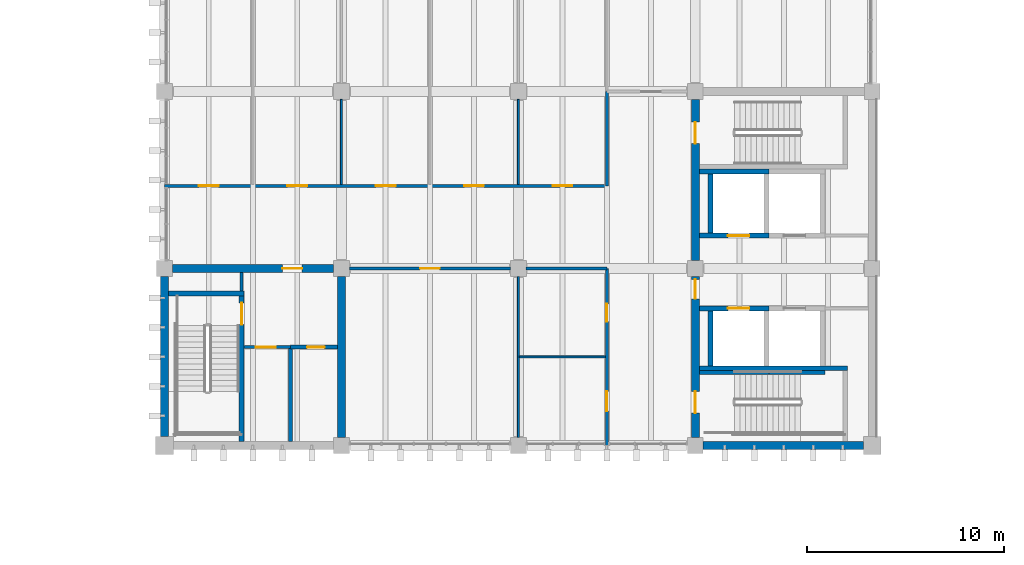
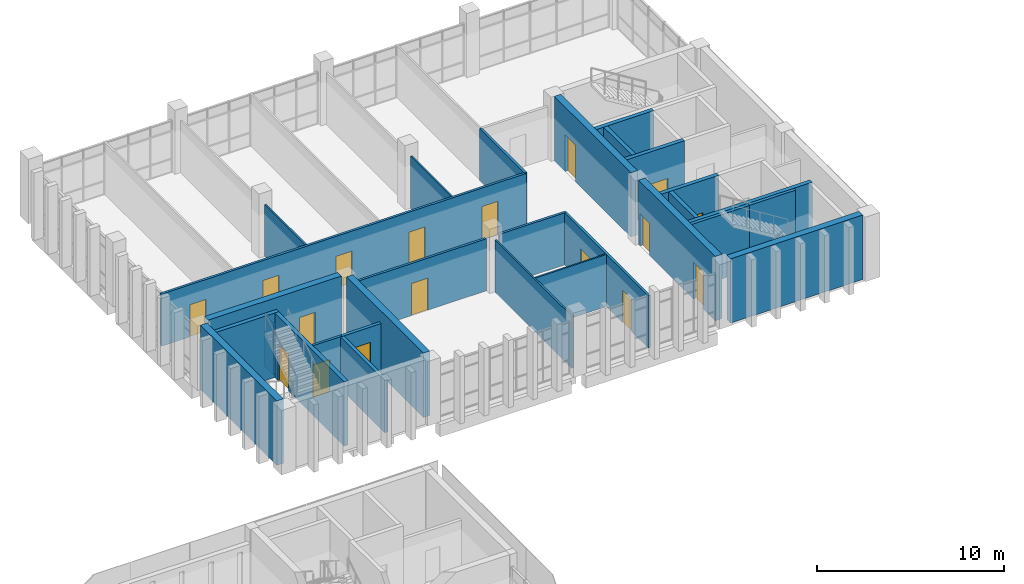
# One storey, part 34 of 50: 29 walls, 17 doors, 17 openings.
"""IFC4 building model written with IfcOpenShell, lengths in metres."""

from ifc_helpers import new_model, si_unit, direction, frame, frame_2d, origin, place, context, subcontext, project, spatial, rectangle, extrude, material, layer, layer_set, type_object, element, fill, save


model = new_model("IFC4")

# Units and contexts
model_context = context("Model", 3, precision=1e-05, world=origin(), true_north=direction((0.0, 1.0)))
body_context = subcontext(model_context, "Body", "Model", "MODEL_VIEW")
ifc_project = project(units=[si_unit("LENGTHUNIT", "METRE"), si_unit("AREAUNIT", "SQUARE_METRE"), si_unit("VOLUMEUNIT", "CUBIC_METRE"), si_unit("PLANEANGLEUNIT", "RADIAN"), si_unit("MASSUNIT", "GRAM", prefix="KILO")], contexts=[model_context])

# Site, building, storey
site_placement = place(None, origin())
site = spatial("IfcSite", under=ifc_project, at=site_placement, CompositionType="ELEMENT")
building_placement = place(site_placement, origin())
building = spatial("IfcBuilding", under=site, at=building_placement, Name="Merrow Basin Faculty of Sciences", CompositionType="ELEMENT")
storey_placement = place(building_placement, frame((0.0, 0.0, 18.0)))
storey = spatial("IfcBuildingStorey", under=building, at=storey_placement, Name="L04", CompositionType="ELEMENT", Elevation=18.0)

# Wall
ifc_material_1 = material(Name="Fire-rated gypsum board")
ifc_layer_1 = layer(ifc_material_1, 0.14990234375)
ifc_layer_set_1 = layer_set([ifc_layer_1], Name="Corridor partition 150 fire-rated board on steel studs")
wall_type_1 = type_object("IfcWallType", Name="Corridor partition 150 fire-rated board on steel studs", PredefinedType="PARTITIONING", material=ifc_layer_set_1)
wall_1_placement = place(storey_placement, frame((21.925048828125, 149.85009765625, 0.0), z_axis=(0.0, 0.0, 1.0), x_axis=(0.0, 1.0, 0.0)))
element("IfcWall", 1, at=wall_1_placement, inside=storey, type_object=wall_type_1, Name="IW151 L04 003", PredefinedType="PARTITIONING", context=body_context, shape_type="SweptSolid", body=[
    extrude(rectangle(XDim=0.949951171875, YDim=0.14990234375, at=frame_2d((0.47509765625, 0.0))), origin(), (0.0, 0.0, 1.0), 3.39990234375),
])

# Wall, openings, doors
wall_2_placement = place(storey_placement, frame((40.5, 142.0, 0.0), z_axis=(0.0, 0.0, 1.0), x_axis=(0.0, 1.0, 0.0)))
wall_2 = element("IfcWall", 2, at=wall_2_placement, inside=storey, type_object=wall_type_1, Name="IW151 L04 004", PredefinedType="PARTITIONING", context=body_context, shape_type="SweptSolid", body=[
    extrude(rectangle(XDim=9.0, YDim=0.14990234375, at=frame_2d((4.5, 0.0))), origin(), (0.0, 0.0, 1.0), 3.39990234375),
])
opening_1_placement = place(wall_2_placement, frame((1.75, 0.0, 0.0)))
opening_1 = element("IfcOpeningElement", 3, at=opening_1_placement, cuts=wall_2, Name="Opening D04T008", PredefinedType="OPENING", context=body_context, shape_type="SweptSolid", body=[
    extrude(rectangle(XDim=1.0, YDim=2.10009765625, at=frame_2d((0.5, 1.050048828125))), frame((0.0, 0.0849609375, 0.0), z_axis=(0.0, -1.0, 0.0), x_axis=(1.0, 0.0, 0.0)), (0.0, 0.0, 1.0), 0.169921875),
])
opening_2_placement = place(wall_2_placement, frame((6.300048828125, 0.0, 0.0)))
opening_2 = element("IfcOpeningElement", 4, at=opening_2_placement, cuts=wall_2, Name="Opening D04T009", PredefinedType="OPENING", context=body_context, shape_type="SweptSolid", body=[
    extrude(rectangle(XDim=0.89990234375, YDim=2.10009765625, at=frame_2d((0.449951171875, 1.050048828125))), frame((0.0, 0.0849609375, 0.0), z_axis=(0.0, -1.0, 0.0), x_axis=(1.0, 0.0, 0.0)), (0.0, 0.0, 1.0), 0.169921875),
])
ifc_material_2 = material(Name="Timber door leaf", Category="wood")
door_type_1 = type_object("IfcDoorType", Name="Accessible door 1000 x 2100", OperationType="NOTDEFINED", PredefinedType="DOOR", material=ifc_material_2)
door_1_placement = place(opening_1_placement, origin())
door_1 = element("IfcDoor", 5, at=door_1_placement, inside=storey, type_object=door_type_1, Name="Door D04T008", OperationType="SINGLE_SWING_LEFT", OverallHeight=2.10009765625, OverallWidth=1.0, PredefinedType="DOOR", context=body_context, shape_type="SweptSolid", body=[
    extrude(rectangle(XDim=1.0, YDim=2.10009765625, at=frame_2d((0.5, 1.050048828125))), frame((0.0, 0.02490234375, 0.0), z_axis=(0.0, -1.0, 0.0), x_axis=(1.0, 0.0, 0.0)), (0.0, 0.0, 1.0), 0.050048828125),
])
fill(opening_1, door_1)
ifc_material_3 = material(Name="Timber door leaf", Category="wood")
door_type_2 = type_object("IfcDoorType", Name="Single swing door 900 x 2100", OperationType="NOTDEFINED", PredefinedType="DOOR", material=ifc_material_3)
door_2_placement = place(opening_2_placement, origin())
door_2 = element("IfcDoor", 6, at=door_2_placement, inside=storey, type_object=door_type_2, Name="Door D04T009", OperationType="SINGLE_SWING_LEFT", OverallHeight=2.10009765625, OverallWidth=0.89990234375, PredefinedType="DOOR", context=body_context, shape_type="SweptSolid", body=[
    extrude(rectangle(XDim=0.89990234375, YDim=2.10009765625, at=frame_2d((0.449951171875, 1.050048828125))), frame((0.0, 0.02490234375, 0.0), z_axis=(0.0, -1.0, 0.0), x_axis=(1.0, 0.0, 0.0)), (0.0, 0.0, 1.0), 0.050048828125),
])
fill(opening_2, door_2)

# Wall
wall_3_placement = place(storey_placement, frame((40.5, 155.199951171875, 0.0), z_axis=(0.0, 0.0, 1.0), x_axis=(0.0, 1.0, 0.0)))
element("IfcWall", 7, at=wall_3_placement, inside=storey, type_object=wall_type_1, Name="IW151 L04 005", PredefinedType="PARTITIONING", context=body_context, shape_type="SweptSolid", body=[
    extrude(rectangle(XDim=4.800048828125, YDim=0.14990234375, at=frame_2d((2.39990234375, 0.0))), origin(), (0.0, 0.0, 1.0), 3.39990234375),
])

# Wall, opening, door
wall_4_placement = place(storey_placement, frame((22.050048828125, 147.0, 0.0), z_axis=(0.0, 0.0, 1.0), x_axis=(1.0, 0.0, 0.0)))
wall_4 = element("IfcWall", 8, at=wall_4_placement, inside=storey, type_object=wall_type_1, Name="IW151 L04 006", PredefinedType="PARTITIONING", context=body_context, shape_type="SweptSolid", body=[
    extrude(rectangle(XDim=2.349853515625, YDim=0.14990234375, at=frame_2d((1.1748046875, 0.0))), origin(), (0.0, 0.0, 1.0), 3.39990234375),
])
opening_3_placement = place(wall_4_placement, frame((0.60009765625, 0.0, 0.0)))
opening_3 = element("IfcOpeningElement", 9, at=opening_3_placement, cuts=wall_4, Name="Opening D04T006", PredefinedType="OPENING", context=body_context, shape_type="SweptSolid", body=[
    extrude(rectangle(XDim=1.0, YDim=2.10009765625, at=frame_2d((0.5, 1.050048828125))), frame((0.0, 0.0849609375, 0.0), z_axis=(0.0, -1.0, 0.0), x_axis=(1.0, 0.0, 0.0)), (0.0, 0.0, 1.0), 0.169921875),
])
door_3_placement = place(opening_3_placement, origin())
door_3 = element("IfcDoor", 10, at=door_3_placement, inside=storey, type_object=door_type_1, Name="Door D04T006", OperationType="SINGLE_SWING_LEFT", OverallHeight=2.10009765625, OverallWidth=1.0, PredefinedType="DOOR", context=body_context, shape_type="SweptSolid", body=[
    extrude(rectangle(XDim=1.0, YDim=2.10009765625, at=frame_2d((0.5, 1.050048828125))), frame((0.0, 0.02490234375, 0.0), z_axis=(0.0, -1.0, 0.0), x_axis=(1.0, 0.0, 0.0)), (0.0, 0.0, 1.0), 0.050048828125),
])
fill(opening_3, door_3)

wall_5_placement = place(storey_placement, frame((27.39990234375, 151.0, 0.0), z_axis=(0.0, 0.0, 1.0), x_axis=(1.0, 0.0, 0.0)))
wall_5 = element("IfcWall", 11, at=wall_5_placement, inside=storey, type_object=wall_type_1, Name="IW151 L04 008", PredefinedType="PARTITIONING", context=body_context, shape_type="SweptSolid", body=[
    extrude(rectangle(XDim=8.2001953125, YDim=0.14990234375, at=frame_2d((4.10009765625, 0.0))), origin(), (0.0, 0.0, 1.0), 3.39990234375),
])
opening_4_placement = place(wall_5_placement, frame((3.60009765625, 0.0, 0.0)))
opening_4 = element("IfcOpeningElement", 12, at=opening_4_placement, cuts=wall_5, Name="Opening D04T015", PredefinedType="OPENING", context=body_context, shape_type="SweptSolid", body=[
    extrude(rectangle(XDim=1.0, YDim=2.10009765625, at=frame_2d((0.5, 1.050048828125))), frame((0.0, 0.0849609375, 0.0), z_axis=(0.0, -1.0, 0.0), x_axis=(1.0, 0.0, 0.0)), (0.0, 0.0, 1.0), 0.169921875),
])
ifc_material_4 = material(Name="Timber door leaf", Category="wood")
door_type_3 = type_object("IfcDoorType", Name="Single swing door 1000 x 2100", OperationType="NOTDEFINED", PredefinedType="DOOR", material=ifc_material_4)
door_4_placement = place(opening_4_placement, origin())
door_4 = element("IfcDoor", 13, at=door_4_placement, inside=storey, type_object=door_type_3, Name="Door D04T015", OperationType="SINGLE_SWING_LEFT", OverallHeight=2.10009765625, OverallWidth=1.0, PredefinedType="DOOR", context=body_context, shape_type="SweptSolid", body=[
    extrude(rectangle(XDim=1.0, YDim=2.10009765625, at=frame_2d((0.5, 1.050048828125))), frame((0.0, 0.02490234375, 0.0), z_axis=(0.0, -1.0, 0.0), x_axis=(1.0, 0.0, 0.0)), (0.0, 0.0, 1.0), 0.050048828125),
])
fill(opening_4, door_4)

# Wall
wall_6_placement = place(storey_placement, frame((36.39990234375, 151.0, 0.0), z_axis=(0.0, 0.0, 1.0), x_axis=(1.0, 0.0, 0.0)))
element("IfcWall", 14, at=wall_6_placement, inside=storey, type_object=wall_type_1, Name="IW151 L04 009", PredefinedType="PARTITIONING", context=body_context, shape_type="SweptSolid", body=[
    extrude(rectangle(XDim=4.10009765625, YDim=0.14990234375, at=frame_2d((2.050048828125, 0.0))), origin(), (0.0, 0.0, 1.0), 3.39990234375),
])

# Wall, openings, doors
wall_7_placement = place(storey_placement, frame((18.0, 155.199951171875, 0.0), z_axis=(0.0, 0.0, 1.0), x_axis=(1.0, 0.0, 0.0)))
wall_7 = element("IfcWall", 15, at=wall_7_placement, inside=storey, type_object=wall_type_1, Name="IW151 L04 011", PredefinedType="PARTITIONING", context=body_context, shape_type="SweptSolid", body=[
    extrude(rectangle(XDim=22.5, YDim=0.14990234375, at=frame_2d((11.25, 0.0))), origin(), (0.0, 0.0, 1.0), 3.39990234375),
])
opening_5_placement = place(wall_7_placement, frame((1.75, 0.0, 0.0)))
opening_5 = element("IfcOpeningElement", 16, at=opening_5_placement, cuts=wall_7, Name="Opening D04T010", PredefinedType="OPENING", context=body_context, shape_type="SweptSolid", body=[
    extrude(rectangle(XDim=1.0, YDim=2.10009765625, at=frame_2d((0.5, 1.050048828125))), frame((0.0, 0.0849609375, 0.0), z_axis=(0.0, -1.0, 0.0), x_axis=(1.0, 0.0, 0.0)), (0.0, 0.0, 1.0), 0.169921875),
])
opening_6_placement = place(wall_7_placement, frame((6.25, 0.0, 0.0)))
opening_6 = element("IfcOpeningElement", 17, at=opening_6_placement, cuts=wall_7, Name="Opening D04T011", PredefinedType="OPENING", context=body_context, shape_type="SweptSolid", body=[
    extrude(rectangle(XDim=1.0, YDim=2.10009765625, at=frame_2d((0.5, 1.050048828125))), frame((0.0, 0.0849609375, 0.0), z_axis=(0.0, -1.0, 0.0), x_axis=(1.0, 0.0, 0.0)), (0.0, 0.0, 1.0), 0.169921875),
])
opening_7_placement = place(wall_7_placement, frame((10.75, 0.0, 0.0)))
opening_7 = element("IfcOpeningElement", 18, at=opening_7_placement, cuts=wall_7, Name="Opening D04T012", PredefinedType="OPENING", context=body_context, shape_type="SweptSolid", body=[
    extrude(rectangle(XDim=1.0, YDim=2.10009765625, at=frame_2d((0.5, 1.050048828125))), frame((0.0, 0.0849609375, 0.0), z_axis=(0.0, -1.0, 0.0), x_axis=(1.0, 0.0, 0.0)), (0.0, 0.0, 1.0), 0.169921875),
])
opening_8_placement = place(wall_7_placement, frame((15.25, 0.0, 0.0)))
opening_8 = element("IfcOpeningElement", 19, at=opening_8_placement, cuts=wall_7, Name="Opening D04T013", PredefinedType="OPENING", context=body_context, shape_type="SweptSolid", body=[
    extrude(rectangle(XDim=1.0, YDim=2.10009765625, at=frame_2d((0.5, 1.050048828125))), frame((0.0, 0.0849609375, 0.0), z_axis=(0.0, -1.0, 0.0), x_axis=(1.0, 0.0, 0.0)), (0.0, 0.0, 1.0), 0.169921875),
])
opening_9_placement = place(wall_7_placement, frame((19.75, 0.0, 0.0)))
opening_9 = element("IfcOpeningElement", 20, at=opening_9_placement, cuts=wall_7, Name="Opening D04T014", PredefinedType="OPENING", context=body_context, shape_type="SweptSolid", body=[
    extrude(rectangle(XDim=1.0, YDim=2.199951171875, at=frame_2d((0.5, 1.10009765625))), frame((0.0, 0.0849609375, 0.0), z_axis=(0.0, -1.0, 0.0), x_axis=(1.0, 0.0, 0.0)), (0.0, 0.0, 1.0), 0.169921875),
])
door_5_placement = place(opening_5_placement, origin())
door_5 = element("IfcDoor", 21, at=door_5_placement, inside=storey, type_object=door_type_3, Name="Door D04T010", OperationType="SINGLE_SWING_LEFT", OverallHeight=2.10009765625, OverallWidth=1.0, PredefinedType="DOOR", context=body_context, shape_type="SweptSolid", body=[
    extrude(rectangle(XDim=1.0, YDim=2.10009765625, at=frame_2d((0.5, 1.050048828125))), frame((0.0, 0.02490234375, 0.0), z_axis=(0.0, -1.0, 0.0), x_axis=(1.0, 0.0, 0.0)), (0.0, 0.0, 1.0), 0.050048828125),
])
fill(opening_5, door_5)
door_6_placement = place(opening_6_placement, origin())
door_6 = element("IfcDoor", 22, at=door_6_placement, inside=storey, type_object=door_type_3, Name="Door D04T011", OperationType="SINGLE_SWING_LEFT", OverallHeight=2.10009765625, OverallWidth=1.0, PredefinedType="DOOR", context=body_context, shape_type="SweptSolid", body=[
    extrude(rectangle(XDim=1.0, YDim=2.10009765625, at=frame_2d((0.5, 1.050048828125))), frame((0.0, 0.02490234375, 0.0), z_axis=(0.0, -1.0, 0.0), x_axis=(1.0, 0.0, 0.0)), (0.0, 0.0, 1.0), 0.050048828125),
])
fill(opening_6, door_6)
door_7_placement = place(opening_7_placement, origin())
door_7 = element("IfcDoor", 23, at=door_7_placement, inside=storey, type_object=door_type_3, Name="Door D04T012", OperationType="SINGLE_SWING_LEFT", OverallHeight=2.10009765625, OverallWidth=1.0, PredefinedType="DOOR", context=body_context, shape_type="SweptSolid", body=[
    extrude(rectangle(XDim=1.0, YDim=2.10009765625, at=frame_2d((0.5, 1.050048828125))), frame((0.0, 0.02490234375, 0.0), z_axis=(0.0, -1.0, 0.0), x_axis=(1.0, 0.0, 0.0)), (0.0, 0.0, 1.0), 0.050048828125),
])
fill(opening_7, door_7)
door_8_placement = place(opening_8_placement, origin())
door_8 = element("IfcDoor", 24, at=door_8_placement, inside=storey, type_object=door_type_3, Name="Door D04T013", OperationType="SINGLE_SWING_LEFT", OverallHeight=2.10009765625, OverallWidth=1.0, PredefinedType="DOOR", context=body_context, shape_type="SweptSolid", body=[
    extrude(rectangle(XDim=1.0, YDim=2.10009765625, at=frame_2d((0.5, 1.050048828125))), frame((0.0, 0.02490234375, 0.0), z_axis=(0.0, -1.0, 0.0), x_axis=(1.0, 0.0, 0.0)), (0.0, 0.0, 1.0), 0.050048828125),
])
fill(opening_8, door_8)
ifc_material_5 = material(Name="Timber door leaf", Category="wood")
door_type_4 = type_object("IfcDoorType", Name="Vision panel door 1000 x 2200", OperationType="NOTDEFINED", PredefinedType="DOOR", material=ifc_material_5)
door_9_placement = place(opening_9_placement, origin())
door_9 = element("IfcDoor", 25, at=door_9_placement, inside=storey, type_object=door_type_4, Name="Door D04T014", OperationType="SINGLE_SWING_LEFT", OverallHeight=2.199951171875, OverallWidth=1.0, PredefinedType="DOOR", context=body_context, shape_type="SweptSolid", body=[
    extrude(rectangle(XDim=1.0, YDim=2.199951171875, at=frame_2d((0.5, 1.10009765625))), frame((0.0, 0.02490234375, 0.0), z_axis=(0.0, -1.0, 0.0), x_axis=(1.0, 0.0, 0.0)), (0.0, 0.0, 1.0), 0.050048828125),
])
fill(opening_9, door_9)

# Walls
ifc_material_6 = material(Name="Gypsum board")
ifc_layer_2 = layer(ifc_material_6, 0.10009765625)
ifc_layer_set_2 = layer_set([ifc_layer_2], Name="Partition 100 gypsum board on steel studs")
wall_type_2 = type_object("IfcWallType", Name="Partition 100 gypsum board on steel studs", PredefinedType="PARTITIONING", material=ifc_layer_set_2)
for number, where, z_axis, x_axis, name in (
    (26, (27.0, 155.27490234375, 0.0), (0.0, 0.0, 1.0), (0.0, 1.0, 0.0), "IW100 L04 017"),
    (27, (36.0, 155.27490234375, 0.0), (0.0, 0.0, 1.0), (0.0, 1.0, 0.0), "IW100 L04 020"),
):
    element("IfcWall", number, at=place(storey_placement, frame(where, z_axis=z_axis, x_axis=x_axis)), inside=storey, type_object=wall_type_2, Name=name, PredefinedType="PARTITIONING", context=body_context, shape_type="SweptSolid", body=[
        extrude(rectangle(XDim=4.3251953125, YDim=0.10009765625, at=frame_2d((2.16259765625, 0.0))), origin(), (0.0, 0.0, 1.0), 3.39990234375),
    ])
ifc_material_7 = material(Name="Moisture-resistant gypsum board")
ifc_layer_3 = layer(ifc_material_7, 0.10009765625)
ifc_layer_set_3 = layer_set([ifc_layer_3], Name="Partition 100 moisture-resistant board on steel studs")
wall_type_3 = type_object("IfcWallType", Name="Partition 100 moisture-resistant board on steel studs", PredefinedType="PARTITIONING", material=ifc_layer_set_3)
wall_8_placement = place(storey_placement, frame((36.0, 142.39990234375, 0.0), z_axis=(0.0, 0.0, 1.0), x_axis=(0.0, 1.0, 0.0)))
element("IfcWall", 28, at=wall_8_placement, inside=storey, type_object=wall_type_3, Name="IW101 L04 013", PredefinedType="PARTITIONING", context=body_context, shape_type="SweptSolid", body=[
    extrude(rectangle(XDim=8.2001953125, YDim=0.10009765625, at=frame_2d((4.10009765625, 0.0))), origin(), (0.0, 0.0, 1.0), 3.39990234375),
])
wall_9_placement = place(storey_placement, frame((36.050048828125, 146.5, 0.0), z_axis=(0.0, 0.0, 1.0), x_axis=(1.0, 0.0, 0.0)))
element("IfcWall", 29, at=wall_9_placement, inside=storey, type_object=wall_type_3, Name="IW101 L04 014", PredefinedType="PARTITIONING", context=body_context, shape_type="SweptSolid", body=[
    extrude(rectangle(XDim=4.375, YDim=0.10009765625, at=frame_2d((2.1875, 0.0))), origin(), (0.0, 0.0, 1.0), 3.39990234375),
])
ifc_material_8 = material(Name="Fire-rated gypsum board")
ifc_layer_4 = layer(ifc_material_8, 0.199951171875)
ifc_layer_set_4 = layer_set([ifc_layer_4], Name="Riser lining 200 fire-rated board on steel studs")
wall_type_4 = type_object("IfcWallType", Name="Riser lining 200 fire-rated board on steel studs", PredefinedType="PARTITIONING", material=ifc_layer_set_4)
wall_10_placement = place(storey_placement, frame((24.39990234375, 142.199951171875, 0.0), z_axis=(0.0, 0.0, 1.0), x_axis=(0.0, 1.0, 0.0)))
element("IfcWall", 30, at=wall_10_placement, inside=storey, type_object=wall_type_4, Name="IW200 L04 001", PredefinedType="PARTITIONING", context=body_context, shape_type="SweptSolid", body=[
    extrude(rectangle(XDim=4.800048828125, YDim=0.199951171875, at=frame_2d((2.39990234375, 0.0))), origin(), (0.0, 0.0, 1.0), 3.39990234375),
])

# Wall, opening, door
wall_11_placement = place(storey_placement, frame((24.39990234375, 147.0, 0.0), z_axis=(0.0, 0.0, 1.0), x_axis=(1.0, 0.0, 0.0)))
wall_11 = element("IfcWall", 31, at=wall_11_placement, inside=storey, type_object=wall_type_4, Name="IW200 L04 002", PredefinedType="PARTITIONING", context=body_context, shape_type="SweptSolid", body=[
    extrude(rectangle(XDim=2.400146484375, YDim=0.199951171875, at=frame_2d((1.2001953125, 0.0))), origin(), (0.0, 0.0, 1.0), 3.39990234375),
])
opening_10_placement = place(wall_11_placement, frame((0.85009765625, 0.0, 0.0)))
opening_10 = element("IfcOpeningElement", 32, at=opening_10_placement, cuts=wall_11, Name="Opening D04T007", PredefinedType="OPENING", context=body_context, shape_type="SweptSolid", body=[
    extrude(rectangle(XDim=0.89990234375, YDim=2.39990234375, at=frame_2d((0.449951171875, 1.199951171875))), frame((0.0, 0.10986328125, 0.0), z_axis=(0.0, -1.0, 0.0), x_axis=(1.0, 0.0, 0.0)), (0.0, 0.0, 1.0), 0.219970703125),
])
ifc_material_9 = material(Name="Fire-rated steel door", Category="steel")
door_type_5 = type_object("IfcDoorType", Name="Fire door FD60 900 x 2400", OperationType="NOTDEFINED", PredefinedType="DOOR", material=ifc_material_9)
door_10_placement = place(opening_10_placement, origin())
door_10 = element("IfcDoor", 33, at=door_10_placement, inside=storey, type_object=door_type_5, Name="Door D04T007", OperationType="SINGLE_SWING_RIGHT", OverallHeight=2.39990234375, OverallWidth=0.89990234375, PredefinedType="DOOR", context=body_context, shape_type="SweptSolid", body=[
    extrude(rectangle(XDim=0.89990234375, YDim=2.39990234375, at=frame_2d((0.449951171875, 1.199951171875))), frame((0.0, 0.02490234375, 0.0), z_axis=(0.0, -1.0, 0.0), x_axis=(1.0, 0.0, 0.0)), (0.0, 0.0, 1.0), 0.050048828125),
])
fill(opening_10, door_10)

# Walls
ifc_material_10 = material(Name="Concrete C40/50", Category="concrete")
ifc_layer_5 = layer(ifc_material_10, 0.199951171875)
ifc_layer_set_5 = layer_set([ifc_layer_5], Name="Shear wall 200 Concrete C40/50")
wall_type_5 = type_object("IfcWallType", Name="Shear wall 200 Concrete C40/50", PredefinedType="SHEAR", material=ifc_layer_set_5)
wall_12_placement = place(storey_placement, frame((45.199951171875, 145.699951171875, 0.0), z_axis=(0.0, 0.0, 1.0), x_axis=(1.0, 0.0, 0.0)))
element("IfcWall", 34, at=wall_12_placement, inside=storey, type_object=wall_type_5, Name="SW6 L04 018", PredefinedType="SHEAR", context=body_context, shape_type="SweptSolid", body=[
    extrude(rectangle(XDim=3.550048828125, YDim=0.199951171875, at=frame_2d((1.77490234375, 0.0))), origin(), (0.0, 0.0, 1.0), 4.199951171875),
])
wall_13_placement = place(storey_placement, frame((48.75, 145.699951171875, 0.0), z_axis=(0.0, 0.0, 1.0), x_axis=(1.0, 0.0, 0.0)))
element("IfcWall", 35, at=wall_13_placement, inside=storey, type_object=wall_type_5, Name="SW6 L04 022", PredefinedType="SHEAR", context=body_context, shape_type="SweptSolid", body=[
    extrude(rectangle(XDim=2.85009765625, YDim=0.199951171875, at=frame_2d((1.425048828125, 0.0))), origin(), (0.0, 0.0, 1.0), 4.199951171875),
])
ifc_material_11 = material(Name="Concrete C40/50", Category="concrete")
ifc_layer_6 = layer(ifc_material_11, 0.25)
ifc_layer_set_6 = layer_set([ifc_layer_6], Name="Shear wall 250 Concrete C40/50")
wall_type_6 = type_object("IfcWallType", Name="Shear wall 250 Concrete C40/50", PredefinedType="SHEAR", material=ifc_layer_set_6)
wall_14_placement = place(storey_placement, frame((45.199951171875, 145.925048828125, 0.0), z_axis=(0.0, 0.0, 1.0), x_axis=(1.0, 0.0, 0.0)))
element("IfcWall", 36, at=wall_14_placement, inside=storey, type_object=wall_type_6, Name="SW2 L04 009", PredefinedType="SHEAR", context=body_context, shape_type="SweptSolid", body=[
    extrude(rectangle(XDim=7.550048828125, YDim=0.25, at=frame_2d((3.77490234375, 0.0))), origin(), (0.0, 0.0, 1.0), 4.199951171875),
])

# Wall, opening, door
wall_15_placement = place(storey_placement, frame((45.199951171875, 152.675048828125, 0.0), z_axis=(0.0, 0.0, 1.0), x_axis=(1.0, 0.0, 0.0)))
wall_15 = element("IfcWall", 37, at=wall_15_placement, inside=storey, type_object=wall_type_6, Name="SW2 L04 011", PredefinedType="SHEAR", context=body_context, shape_type="SweptSolid", body=[
    extrude(rectangle(XDim=3.550048828125, YDim=0.25, at=frame_2d((1.77490234375, 0.0))), origin(), (0.0, 0.0, 1.0), 4.199951171875),
])
opening_11_placement = place(wall_15_placement, frame((1.449951171875, 0.0, 0.0)))
opening_11 = element("IfcOpeningElement", 38, at=opening_11_placement, cuts=wall_15, Name="Opening LD04T01", PredefinedType="OPENING", context=body_context, shape_type="SweptSolid", body=[
    extrude(rectangle(XDim=1.10009765625, YDim=2.10009765625, at=frame_2d((0.550048828125, 1.050048828125))), frame((0.0, 0.135009765625, 0.0), z_axis=(0.0, -1.0, 0.0), x_axis=(1.0, 0.0, 0.0)), (0.0, 0.0, 1.0), 0.27001953125),
])
ifc_material_12 = material(Name="Stainless steel sliding door", Category="steel")
door_type_6 = type_object("IfcDoorType", Name="Lift landing door 1100 x 2100 sliding", OperationType="NOTDEFINED", PredefinedType="DOOR", material=ifc_material_12)
door_11_placement = place(opening_11_placement, origin())
door_11 = element("IfcDoor", 39, at=door_11_placement, inside=storey, type_object=door_type_6, Name="Landing door LF11 L04", OperationType="SLIDING_TO_LEFT", OverallHeight=2.10009765625, OverallWidth=1.10009765625, PredefinedType="DOOR", context=body_context, shape_type="SweptSolid", body=[
    extrude(rectangle(XDim=1.10009765625, YDim=2.10009765625, at=frame_2d((0.550048828125, 1.050048828125))), frame((0.0, 0.02490234375, 0.0), z_axis=(0.0, -1.0, 0.0), x_axis=(1.0, 0.0, 0.0)), (0.0, 0.0, 1.0), 0.050048828125),
])
fill(opening_11, door_11)

# Walls
wall_16_placement = place(storey_placement, frame((45.199951171875, 155.925048828125, 0.0), z_axis=(0.0, 0.0, 1.0), x_axis=(1.0, 0.0, 0.0)))
element("IfcWall", 40, at=wall_16_placement, inside=storey, type_object=wall_type_6, Name="SW2 L04 012", PredefinedType="SHEAR", context=body_context, shape_type="SweptSolid", body=[
    extrude(rectangle(XDim=3.550048828125, YDim=0.25, at=frame_2d((1.77490234375, 0.0))), origin(), (0.0, 0.0, 1.0), 4.199951171875),
])
wall_17_placement = place(storey_placement, frame((45.77490234375, 152.800048828125, 0.0), z_axis=(0.0, 0.0, 1.0), x_axis=(0.0, 1.0, 0.0)))
element("IfcWall", 41, at=wall_17_placement, inside=storey, type_object=wall_type_6, Name="SW2 L04 013", PredefinedType="SHEAR", context=body_context, shape_type="SweptSolid", body=[
    extrude(rectangle(XDim=3.0, YDim=0.25, at=frame_2d((1.5, 0.0))), origin(), (0.0, 0.0, 1.0), 4.199951171875),
])

# Wall, opening, door
wall_18_placement = place(storey_placement, frame((45.199951171875, 148.97509765625, 0.0), z_axis=(0.0, 0.0, 1.0), x_axis=(1.0, 0.0, 0.0)))
wall_18 = element("IfcWall", 42, at=wall_18_placement, inside=storey, type_object=wall_type_6, Name="SW2 L04 019", PredefinedType="SHEAR", context=body_context, shape_type="SweptSolid", body=[
    extrude(rectangle(XDim=3.550048828125, YDim=0.25, at=frame_2d((1.77490234375, 0.0))), origin(), (0.0, 0.0, 1.0), 4.199951171875),
])
opening_12_placement = place(wall_18_placement, frame((1.449951171875, 0.0, 0.0)))
opening_12 = element("IfcOpeningElement", 43, at=opening_12_placement, cuts=wall_18, Name="Opening LD04T03", PredefinedType="OPENING", context=body_context, shape_type="SweptSolid", body=[
    extrude(rectangle(XDim=1.10009765625, YDim=2.10009765625, at=frame_2d((0.550048828125, 1.050048828125))), frame((0.0, 0.135009765625, 0.0), z_axis=(0.0, -1.0, 0.0), x_axis=(1.0, 0.0, 0.0)), (0.0, 0.0, 1.0), 0.27001953125),
])
door_12_placement = place(opening_12_placement, origin())
door_12 = element("IfcDoor", 44, at=door_12_placement, inside=storey, type_object=door_type_6, Name="Landing door LF13 L04", OperationType="SLIDING_TO_LEFT", OverallHeight=2.10009765625, OverallWidth=1.10009765625, PredefinedType="DOOR", context=body_context, shape_type="SweptSolid", body=[
    extrude(rectangle(XDim=1.10009765625, YDim=2.10009765625, at=frame_2d((0.550048828125, 1.050048828125))), frame((0.0, 0.02490234375, 0.0), z_axis=(0.0, -1.0, 0.0), x_axis=(1.0, 0.0, 0.0)), (0.0, 0.0, 1.0), 0.050048828125),
])
fill(opening_12, door_12)

# Walls
wall_19_placement = place(storey_placement, frame((45.77490234375, 146.050048828125, 0.0), z_axis=(0.0, 0.0, 1.0), x_axis=(0.0, 1.0, 0.0)))
element("IfcWall", 45, at=wall_19_placement, inside=storey, type_object=wall_type_6, Name="SW2 L04 020", PredefinedType="SHEAR", context=body_context, shape_type="SweptSolid", body=[
    extrude(rectangle(XDim=2.800048828125, YDim=0.25, at=frame_2d((1.39990234375, 0.0))), origin(), (0.0, 0.0, 1.0), 4.199951171875),
])
wall_20_placement = place(storey_placement, frame((18.199951171875, 149.72509765625, 0.0), z_axis=(0.0, 0.0, 1.0), x_axis=(1.0, 0.0, 0.0)))
element("IfcWall", 46, at=wall_20_placement, inside=storey, type_object=wall_type_6, Name="SW2 L04 029", PredefinedType="SHEAR", context=body_context, shape_type="SweptSolid", body=[
    extrude(rectangle(XDim=3.85009765625, YDim=0.25, at=frame_2d((1.925048828125, 0.0))), origin(), (0.0, 0.0, 1.0), 4.199951171875),
])

# Wall, opening, door
wall_21_placement = place(storey_placement, frame((21.925048828125, 142.199951171875, 0.0), z_axis=(0.0, 0.0, 1.0), x_axis=(0.0, 1.0, 0.0)))
wall_21 = element("IfcWall", 47, at=wall_21_placement, inside=storey, type_object=wall_type_6, Name="SW2 L04 030", PredefinedType="SHEAR", context=body_context, shape_type="SweptSolid", body=[
    extrude(rectangle(XDim=7.400146484375, YDim=0.25, at=frame_2d((3.7001953125, 0.0))), origin(), (0.0, 0.0, 1.0), 4.199951171875),
])
opening_13_placement = place(wall_21_placement, frame((5.949951171875, 0.0, 0.0)))
opening_13 = element("IfcOpeningElement", 48, at=opening_13_placement, cuts=wall_21, Name="Opening D04T004", PredefinedType="OPENING", context=body_context, shape_type="SweptSolid", body=[
    extrude(rectangle(XDim=1.10009765625, YDim=2.39990234375, at=frame_2d((0.550048828125, 1.199951171875))), frame((0.0, 0.135009765625, 0.0), z_axis=(0.0, -1.0, 0.0), x_axis=(1.0, 0.0, 0.0)), (0.0, 0.0, 1.0), 0.27001953125),
])
ifc_material_13 = material(Name="Fire-rated steel door", Category="steel")
door_type_7 = type_object("IfcDoorType", Name="Fire door FD90 1100 x 2400", OperationType="NOTDEFINED", PredefinedType="DOOR", material=ifc_material_13)
door_13_placement = place(opening_13_placement, origin())
door_13 = element("IfcDoor", 49, at=door_13_placement, inside=storey, type_object=door_type_7, Name="Door D04T004", OperationType="SINGLE_SWING_RIGHT", OverallHeight=2.39990234375, OverallWidth=1.10009765625, PredefinedType="DOOR", context=body_context, shape_type="SweptSolid", body=[
    extrude(rectangle(XDim=1.10009765625, YDim=2.39990234375, at=frame_2d((0.550048828125, 1.199951171875))), frame((0.0, 0.02490234375, 0.0), z_axis=(0.0, -1.0, 0.0), x_axis=(1.0, 0.0, 0.0)), (0.0, 0.0, 1.0), 0.050048828125),
])
fill(opening_13, door_13)

# Wall
ifc_material_14 = material(Name="Concrete C40/50", Category="concrete")
ifc_layer_7 = layer(ifc_material_14, 0.39990234375)
ifc_layer_set_7 = layer_set([ifc_layer_7], Name="Shear wall 400 Concrete C40/50")
wall_type_7 = type_object("IfcWallType", Name="Shear wall 400 Concrete C40/50", PredefinedType="SHEAR", material=ifc_layer_set_7)
wall_22_placement = place(storey_placement, frame((45.39990234375, 142.0, 0.0), z_axis=(0.0, 0.0, 1.0), x_axis=(1.0, 0.0, 0.0)))
element("IfcWall", 50, at=wall_22_placement, inside=storey, type_object=wall_type_7, Name="SW1 L04 001", PredefinedType="SHEAR", context=body_context, shape_type="SweptSolid", body=[
    extrude(rectangle(XDim=8.150146484375, YDim=0.39990234375, at=frame_2d((4.0751953125, 0.0))), origin(), (0.0, 0.0, 1.0), 4.199951171875),
])

# Wall, openings, doors
wall_23_placement = place(storey_placement, frame((45.0, 142.39990234375, 0.0), z_axis=(0.0, 0.0, 1.0), x_axis=(0.0, 1.0, 0.0)))
wall_23 = element("IfcWall", 51, at=wall_23_placement, inside=storey, type_object=wall_type_7, Name="SW1 L04 003", PredefinedType="SHEAR", context=body_context, shape_type="SweptSolid", body=[
    extrude(rectangle(XDim=8.2001953125, YDim=0.39990234375, at=frame_2d((4.10009765625, 0.0))), origin(), (0.0, 0.0, 1.0), 4.199951171875),
])
opening_14_placement = place(wall_23_placement, frame((1.25, 0.0, 0.0)))
opening_14 = element("IfcOpeningElement", 52, at=opening_14_placement, cuts=wall_23, Name="Opening D04T001", PredefinedType="OPENING", context=body_context, shape_type="SweptSolid", body=[
    extrude(rectangle(XDim=1.10009765625, YDim=2.39990234375, at=frame_2d((0.550048828125, 1.199951171875))), frame((0.0, 0.2099609375, 0.0), z_axis=(0.0, -1.0, 0.0), x_axis=(1.0, 0.0, 0.0)), (0.0, 0.0, 1.0), 0.419921875),
])
opening_15_placement = place(wall_23_placement, frame((7.050048828125, 0.0, 0.0)))
opening_15 = element("IfcOpeningElement", 53, at=opening_15_placement, cuts=wall_23, Name="Opening D04T003", PredefinedType="OPENING", context=body_context, shape_type="SweptSolid", body=[
    extrude(rectangle(XDim=1.0, YDim=2.10009765625, at=frame_2d((0.5, 1.050048828125))), frame((0.0, 0.2099609375, 0.0), z_axis=(0.0, -1.0, 0.0), x_axis=(1.0, 0.0, 0.0)), (0.0, 0.0, 1.0), 0.419921875),
])
door_14_placement = place(opening_14_placement, origin())
door_14 = element("IfcDoor", 54, at=door_14_placement, inside=storey, type_object=door_type_7, Name="Door D04T001", OperationType="SINGLE_SWING_LEFT", OverallHeight=2.39990234375, OverallWidth=1.10009765625, PredefinedType="DOOR", context=body_context, shape_type="SweptSolid", body=[
    extrude(rectangle(XDim=1.10009765625, YDim=2.39990234375, at=frame_2d((0.550048828125, 1.199951171875))), frame((0.0, 0.02490234375, 0.0), z_axis=(0.0, -1.0, 0.0), x_axis=(1.0, 0.0, 0.0)), (0.0, 0.0, 1.0), 0.050048828125),
])
fill(opening_14, door_14)
door_15_placement = place(opening_15_placement, origin())
door_15 = element("IfcDoor", 55, at=door_15_placement, inside=storey, type_object=door_type_3, Name="Door D04T003", OperationType="SINGLE_SWING_LEFT", OverallHeight=2.10009765625, OverallWidth=1.0, PredefinedType="DOOR", context=body_context, shape_type="SweptSolid", body=[
    extrude(rectangle(XDim=1.0, YDim=2.10009765625, at=frame_2d((0.5, 1.050048828125))), frame((0.0, 0.02490234375, 0.0), z_axis=(0.0, -1.0, 0.0), x_axis=(1.0, 0.0, 0.0)), (0.0, 0.0, 1.0), 0.050048828125),
])
fill(opening_15, door_15)

# Wall, opening, door
wall_24_placement = place(storey_placement, frame((45.0, 151.39990234375, 0.0), z_axis=(0.0, 0.0, 1.0), x_axis=(0.0, 1.0, 0.0)))
wall_24 = element("IfcWall", 56, at=wall_24_placement, inside=storey, type_object=wall_type_7, Name="SW1 L04 004", PredefinedType="SHEAR", context=body_context, shape_type="SweptSolid", body=[
    extrude(rectangle(XDim=8.2001953125, YDim=0.39990234375, at=frame_2d((4.10009765625, 0.0))), origin(), (0.0, 0.0, 1.0), 4.199951171875),
])
opening_16_placement = place(wall_24_placement, frame((5.949951171875, 0.0, 0.0)))
opening_16 = element("IfcOpeningElement", 57, at=opening_16_placement, cuts=wall_24, Name="Opening D04T002", PredefinedType="OPENING", context=body_context, shape_type="SweptSolid", body=[
    extrude(rectangle(XDim=1.10009765625, YDim=2.39990234375, at=frame_2d((0.550048828125, 1.199951171875))), frame((0.0, 0.2099609375, 0.0), z_axis=(0.0, -1.0, 0.0), x_axis=(1.0, 0.0, 0.0)), (0.0, 0.0, 1.0), 0.419921875),
])
door_16_placement = place(opening_16_placement, origin())
door_16 = element("IfcDoor", 58, at=door_16_placement, inside=storey, type_object=door_type_7, Name="Door D04T002", OperationType="SINGLE_SWING_RIGHT", OverallHeight=2.39990234375, OverallWidth=1.10009765625, PredefinedType="DOOR", context=body_context, shape_type="SweptSolid", body=[
    extrude(rectangle(XDim=1.10009765625, YDim=2.39990234375, at=frame_2d((0.550048828125, 1.199951171875))), frame((0.0, 0.02490234375, 0.0), z_axis=(0.0, -1.0, 0.0), x_axis=(1.0, 0.0, 0.0)), (0.0, 0.0, 1.0), 0.050048828125),
])
fill(opening_16, door_16)

wall_25_placement = place(storey_placement, frame((18.39990234375, 151.0, 0.0), z_axis=(0.0, 0.0, 1.0), x_axis=(1.0, 0.0, 0.0)))
wall_25 = element("IfcWall", 59, at=wall_25_placement, inside=storey, type_object=wall_type_7, Name="SW1 L04 026", PredefinedType="SHEAR", context=body_context, shape_type="SweptSolid", body=[
    extrude(rectangle(XDim=8.2001953125, YDim=0.39990234375, at=frame_2d((4.10009765625, 0.0))), origin(), (0.0, 0.0, 1.0), 4.199951171875),
])
opening_17_placement = place(wall_25_placement, frame((5.60009765625, 0.0, 0.0)))
opening_17 = element("IfcOpeningElement", 60, at=opening_17_placement, cuts=wall_25, Name="Opening D04T005", PredefinedType="OPENING", context=body_context, shape_type="SweptSolid", body=[
    extrude(rectangle(XDim=1.0, YDim=2.39990234375, at=frame_2d((0.5, 1.199951171875))), frame((0.0, 0.2099609375, 0.0), z_axis=(0.0, -1.0, 0.0), x_axis=(1.0, 0.0, 0.0)), (0.0, 0.0, 1.0), 0.419921875),
])
ifc_material_15 = material(Name="Fire-rated steel door", Category="steel")
door_type_8 = type_object("IfcDoorType", Name="Fire door FD60 1000 x 2400", OperationType="NOTDEFINED", PredefinedType="DOOR", material=ifc_material_15)
door_17_placement = place(opening_17_placement, origin())
door_17 = element("IfcDoor", 61, at=door_17_placement, inside=storey, type_object=door_type_8, Name="Door D04T005", OperationType="SINGLE_SWING_RIGHT", OverallHeight=2.39990234375, OverallWidth=1.0, PredefinedType="DOOR", context=body_context, shape_type="SweptSolid", body=[
    extrude(rectangle(XDim=1.0, YDim=2.39990234375, at=frame_2d((0.5, 1.199951171875))), frame((0.0, 0.02490234375, 0.0), z_axis=(0.0, -1.0, 0.0), x_axis=(1.0, 0.0, 0.0)), (0.0, 0.0, 1.0), 0.050048828125),
])
fill(opening_17, door_17)

# Walls
wall_26_placement = place(storey_placement, frame((18.0, 142.449951171875, 0.0), z_axis=(0.0, 0.0, 1.0), x_axis=(0.0, 1.0, 0.0)))
element("IfcWall", 62, at=wall_26_placement, inside=storey, type_object=wall_type_7, Name="SW1 L04 027", PredefinedType="SHEAR", context=body_context, shape_type="SweptSolid", body=[
    extrude(rectangle(XDim=8.150146484375, YDim=0.39990234375, at=frame_2d((4.0751953125, 0.0))), origin(), (0.0, 0.0, 1.0), 4.199951171875),
])
wall_27_placement = place(storey_placement, frame((27.0, 142.39990234375, 0.0), z_axis=(0.0, 0.0, 1.0), x_axis=(0.0, 1.0, 0.0)))
element("IfcWall", 63, at=wall_27_placement, inside=storey, type_object=wall_type_7, Name="SW1 L04 028", PredefinedType="SHEAR", context=body_context, shape_type="SweptSolid", body=[
    extrude(rectangle(XDim=8.2001953125, YDim=0.39990234375, at=frame_2d((4.10009765625, 0.0))), origin(), (0.0, 0.0, 1.0), 4.199951171875),
])

save(model, "model.ifc")
